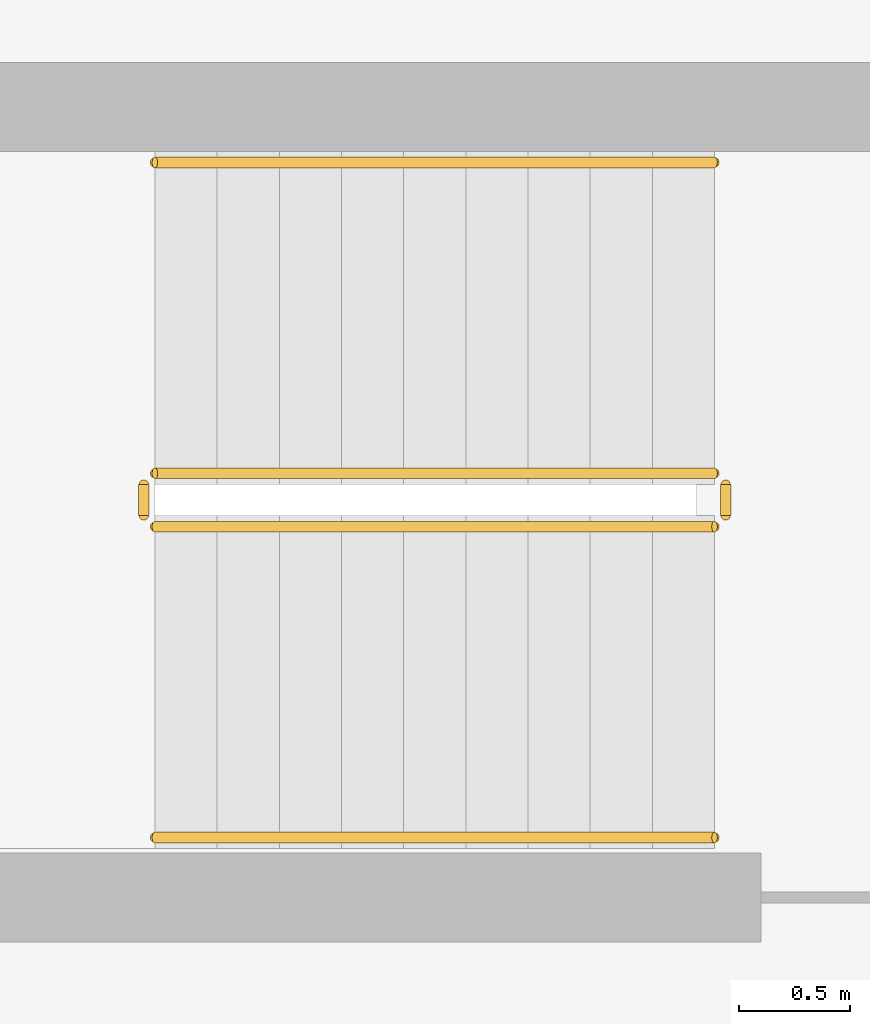
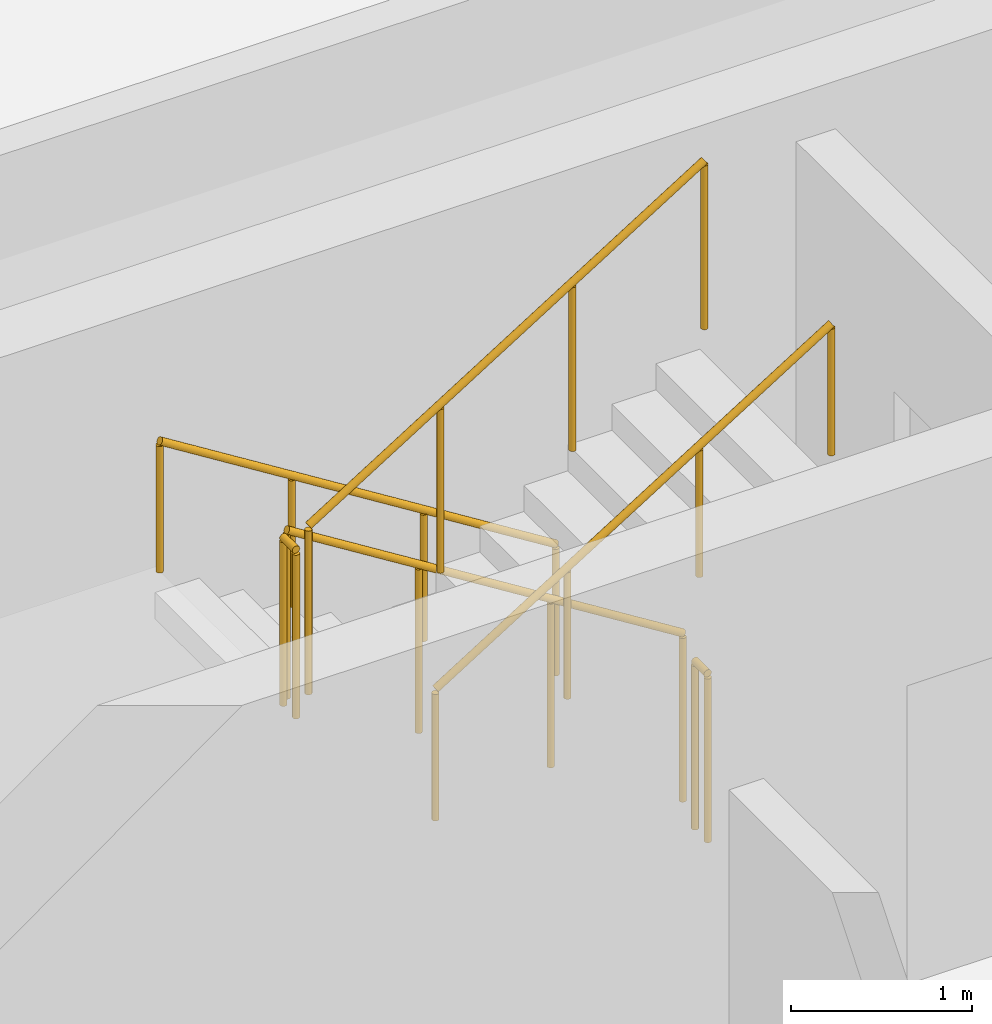
# One storey, part 24 of 26: 6 railings.
"""IFC4 building model written with IfcOpenShell, lengths in metres."""

from ifc_helpers import new_model, si_unit, derived_unit, direction, frame, origin, origin_2d, place, context, subcontext, project, spatial, circle, extrude, material, type_object, element, save


model = new_model("IFC4")

# Units and contexts
model_context = context("Model", 3, precision=1e-05, world=origin(), true_north=direction((0.0, 1.0)))
body_context = subcontext(model_context, "Body", "Model", "MODEL_VIEW")
ifc_project = project(units=[si_unit("LENGTHUNIT", "METRE"), si_unit("AREAUNIT", "SQUARE_METRE"), si_unit("VOLUMEUNIT", "CUBIC_METRE"), si_unit("PLANEANGLEUNIT", "RADIAN"), si_unit("MASSUNIT", "GRAM", prefix="KILO"), derived_unit("THERMALTRANSMITTANCEUNIT", [(si_unit("POWERUNIT", "WATT"), 1), (si_unit("LENGTHUNIT", "METRE"), -2), (si_unit("THERMODYNAMICTEMPERATUREUNIT", "KELVIN"), -1)])], contexts=[model_context])

# Site, building, storey
site_placement = place(None, origin())
site = spatial("IfcSite", under=ifc_project, at=site_placement, CompositionType="ELEMENT")
building_placement = place(site_placement, origin())
building = spatial("IfcBuilding", under=site, at=building_placement, Name="Kivonza Crest Hotel", CompositionType="ELEMENT")
storey_placement = place(building_placement, frame((0.0, 0.0, 116.0)))
storey = spatial("IfcBuildingStorey", under=building, at=storey_placement, Name="L31", CompositionType="ELEMENT", Elevation=116.0)

# Railings
ifc_material_1 = material(Name="Brushed stainless steel handrail", Category="steel")
railing_type_1 = type_object("IfcRailingType", Name="RL-HAND-900", PredefinedType="HANDRAIL", material=ifc_material_1)
railing_1_placement = place(storey_placement, frame((12.239990234375, 36.110107421875, 0.175048828125)))
element("IfcRailing", 1, at=railing_1_placement, inside=storey, type_object=railing_type_1, Name="L31 ST-T1-N stair handrail 1", PredefinedType="HANDRAIL", context=body_context, shape_type="SweptSolid", body=[
    extrude(circle(Radius=0.02392578125, at=origin_2d()), frame((0.0, 0.0, 0.8759765625), z_axis=(-0.848007534815, 0.0, 0.529984170421), x_axis=(0.0, -1.0, 0.0)), (0.0, 0.0, 1.0), 2.9716796875),
    extrude(circle(Radius=0.02099609375, at=origin_2d()), origin(), (0.0, 0.0, 1.0), 0.851806640625),
    extrude(circle(Radius=0.02099609375, at=origin_2d()), frame((-0.840087890625, 0.0, 0.52490234375)), (0.0, 0.0, 1.0), 0.851806640625),
    extrude(circle(Radius=0.02099609375, at=origin_2d()), frame((-1.679931640625, 0.0, 1.050048828125)), (0.0, 0.0, 1.0), 0.851806640625),
    extrude(circle(Radius=0.02099609375, at=origin_2d()), frame((-2.52001953125, 0.0, 1.574951171875)), (0.0, 0.0, 1.0), 0.851806640625),
])
railing_2_placement = place(storey_placement, frame((9.719970703125, 33.070068359375, 1.925048828125)))
element("IfcRailing", 2, at=railing_2_placement, inside=storey, type_object=railing_type_1, Name="L31 ST-T1-N stair handrail 2", PredefinedType="HANDRAIL", context=body_context, shape_type="SweptSolid", body=[
    extrude(circle(Radius=0.02392578125, at=origin_2d()), frame((0.0, 0.0, 0.8759765625), z_axis=(0.848007534815, 0.0, 0.529984170421), x_axis=(0.0, 1.0, 0.0)), (0.0, 0.0, 1.0), 2.9716796875),
    extrude(circle(Radius=0.02099609375, at=origin_2d()), origin(), (0.0, 0.0, 1.0), 0.851806640625),
    extrude(circle(Radius=0.02099609375, at=origin_2d()), frame((0.840087890625, 0.0, 0.52490234375)), (0.0, 0.0, 1.0), 0.851806640625),
    extrude(circle(Radius=0.02099609375, at=origin_2d()), frame((1.679931640625, 0.0, 1.050048828125)), (0.0, 0.0, 1.0), 0.851806640625),
    extrude(circle(Radius=0.02099609375, at=origin_2d()), frame((2.52001953125, 0.0, 1.574951171875)), (0.0, 0.0, 1.0), 0.851806640625),
])
ifc_material_2 = material(Name="Painted steel balustrade", Category="steel")
railing_type_2 = type_object("IfcRailingType", Name="RL-STAIR-1150", PredefinedType="BALUSTRADE", material=ifc_material_2)
railing_3_placement = place(storey_placement, frame((12.239990234375, 34.7099609375, 0.175048828125)))
element("IfcRailing", 3, at=railing_3_placement, inside=storey, type_object=railing_type_2, Name="L31 ST-T1-N stair guard 1", PredefinedType="BALUSTRADE", context=body_context, shape_type="SweptSolid", body=[
    extrude(circle(Radius=0.02392578125, at=origin_2d()), frame((0.0, 0.0, 1.1259765625), z_axis=(-0.848007534815, 0.0, 0.529984170421), x_axis=(0.0, -1.0, 0.0)), (0.0, 0.0, 1.0), 2.9716796875),
    extrude(circle(Radius=0.02099609375, at=origin_2d()), origin(), (0.0, 0.0, 1.0), 1.101806640625),
    extrude(circle(Radius=0.02099609375, at=origin_2d()), frame((-0.840087890625, 0.0, 0.52490234375)), (0.0, 0.0, 1.0), 1.101806640625),
    extrude(circle(Radius=0.02099609375, at=origin_2d()), frame((-1.679931640625, 0.0, 1.050048828125)), (0.0, 0.0, 1.0), 1.101806640625),
    extrude(circle(Radius=0.02099609375, at=origin_2d()), frame((-2.52001953125, 0.0, 1.574951171875)), (0.0, 0.0, 1.0), 1.101806640625),
])
railing_4_placement = place(storey_placement, frame((9.669921875, 34.659912109375, 1.75)))
element("IfcRailing", 4, at=railing_4_placement, inside=storey, type_object=railing_type_2, Name="L31 ST-T1-N stair guard 2", PredefinedType="BALUSTRADE", context=body_context, shape_type="SweptSolid", body=[
    extrude(circle(Radius=0.02392578125, at=origin_2d()), frame((0.0, 0.0, 1.1259765625), z_axis=(0.0, -1.0, 0.0), x_axis=(1.0, 0.0, 0.0)), (0.0, 0.0, 1.0), 0.139892578125),
    extrude(circle(Radius=0.02099609375, at=origin_2d()), origin(), (0.0, 0.0, 1.0), 1.101806640625),
    extrude(circle(Radius=0.02099609375, at=origin_2d()), frame((0.0, -0.139892578125, 0.0)), (0.0, 0.0, 1.0), 1.101806640625),
])
railing_5_placement = place(storey_placement, frame((9.719970703125, 34.469970703125, 1.925048828125)))
element("IfcRailing", 5, at=railing_5_placement, inside=storey, type_object=railing_type_2, Name="L31 ST-T1-N stair guard 3", PredefinedType="BALUSTRADE", context=body_context, shape_type="SweptSolid", body=[
    extrude(circle(Radius=0.02392578125, at=origin_2d()), frame((0.0, 0.0, 1.1259765625), z_axis=(0.848007534815, 0.0, 0.529984170421), x_axis=(0.0, 1.0, 0.0)), (0.0, 0.0, 1.0), 2.9716796875),
    extrude(circle(Radius=0.02099609375, at=origin_2d()), origin(), (0.0, 0.0, 1.0), 1.101806640625),
    extrude(circle(Radius=0.02099609375, at=origin_2d()), frame((0.840087890625, 0.0, 0.52490234375)), (0.0, 0.0, 1.0), 1.101806640625),
    extrude(circle(Radius=0.02099609375, at=origin_2d()), frame((1.679931640625, 0.0, 1.050048828125)), (0.0, 0.0, 1.0), 1.101806640625),
    extrude(circle(Radius=0.02099609375, at=origin_2d()), frame((2.52001953125, 0.0, 1.574951171875)), (0.0, 0.0, 1.0), 1.101806640625),
])
railing_6_placement = place(storey_placement, frame((12.2900390625, 34.659912109375, 0.0)))
element("IfcRailing", 6, at=railing_6_placement, inside=storey, type_object=railing_type_2, Name="L31 ST-T1-N stair guard 4", PredefinedType="BALUSTRADE", context=body_context, shape_type="SweptSolid", body=[
    extrude(circle(Radius=0.02392578125, at=origin_2d()), frame((0.0, 0.0, 1.1259765625), z_axis=(0.0, -1.0, 0.0), x_axis=(1.0, 0.0, 0.0)), (0.0, 0.0, 1.0), 0.139892578125),
    extrude(circle(Radius=0.02099609375, at=origin_2d()), origin(), (0.0, 0.0, 1.0), 1.101806640625),
    extrude(circle(Radius=0.02099609375, at=origin_2d()), frame((0.0, -0.139892578125, 0.0)), (0.0, 0.0, 1.0), 1.101806640625),
])

save(model, "model.ifc")
